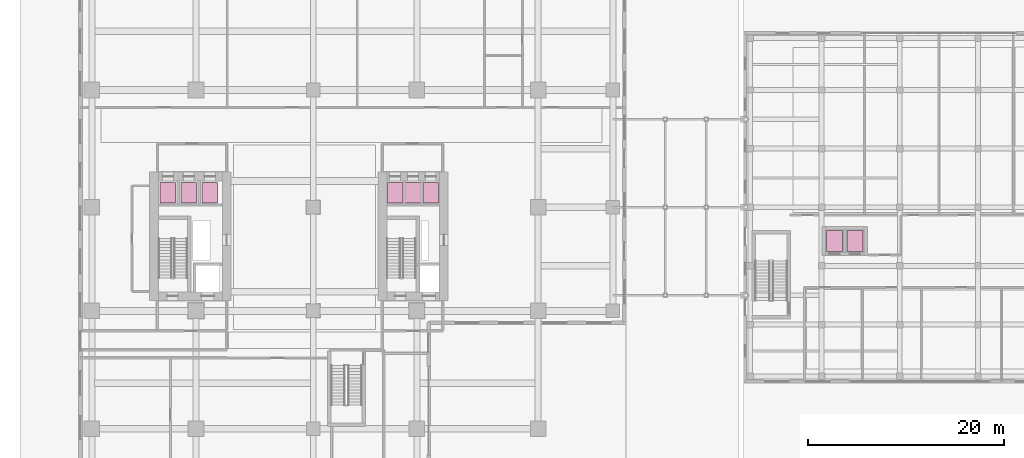
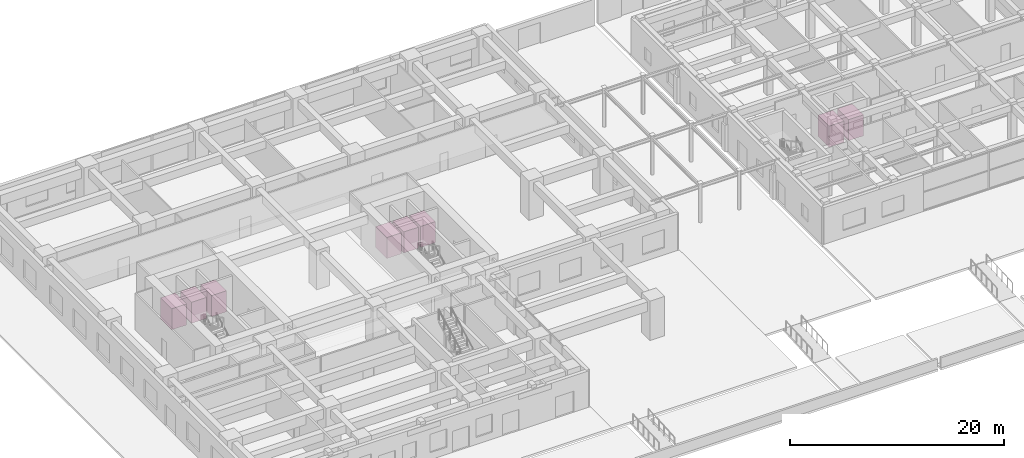
# One storey, part 39 of 39: 8 transport elements.
"""IFC4 building model written with IfcOpenShell, lengths in metres."""

from ifc_helpers import new_model, si_unit, direction, frame, origin, origin_2d, place, context, subcontext, project, spatial, rectangle, extrude, source, transform, mapped, material, type_object, element, save


model = new_model("IFC4")

# Units and contexts
model_context = context("Model", 3, precision=1e-05, world=origin(), true_north=direction((0.0, 1.0)))
body_context = subcontext(model_context, "Body", "Model", "MODEL_VIEW")
ifc_project = project(units=[si_unit("LENGTHUNIT", "METRE"), si_unit("AREAUNIT", "SQUARE_METRE"), si_unit("VOLUMEUNIT", "CUBIC_METRE"), si_unit("PLANEANGLEUNIT", "RADIAN"), si_unit("MASSUNIT", "GRAM", prefix="KILO")], contexts=[model_context])

# Site, building, storey
site_placement = place(None, origin())
site = spatial("IfcSite", under=ifc_project, at=site_placement, CompositionType="ELEMENT")
building_placement = place(site_placement, origin())
building = spatial("IfcBuilding", under=site, at=building_placement, Name="Khoralis Quay Care Tower", CompositionType="ELEMENT")
storey_placement = place(building_placement, origin())
storey = spatial("IfcBuildingStorey", under=building, at=storey_placement, Name="L00", CompositionType="ELEMENT", Elevation=0.0)

# Transport elements
ifc_material = material(Name="Brushed stainless steel", Category="steel")
transport_element_type = type_object("IfcTransportElementType", Name="LFT-PASS-2100X1600", PredefinedType="ELEVATOR", material=ifc_material)
shared_shape = source(origin(), body_context, "Body", "SweptSolid", [
    extrude(rectangle(XDim=2.10009765625, YDim=1.60009765625, at=origin_2d()), origin(), (0.0, 0.0, 1.0), 2.39990234375),
])
for number, where, z_axis, x_axis, name in (
    (1, (9.125, 25.5, 0.0), (0.0, 0.0, 1.0), (0.0, 1.0, 0.0), "Elevator Car PL-L1"),
    (2, (32.375, 25.5, 0.0), (0.0, 0.0, 1.0), (0.0, 1.0, 0.0), "Elevator Car PL-L2"),
    (3, (11.27490234375, 25.5, 0.0), (0.0, 0.0, 1.0), (0.0, 1.0, 0.0), "Elevator Car PL-M1"),
    (4, (34.205078125, 25.5, 0.0), (0.0, 0.0, 1.0), (0.0, 1.0, 0.0), "Elevator Car PL-M2"),
    (5, (13.425048828125, 25.5, 0.0), (0.0, 0.0, 1.0), (0.0, 1.0, 0.0), "Elevator Car PL-H1"),
    (6, (36.02490234375, 25.5, 0.0), (0.0, 0.0, 1.0), (0.0, 1.0, 0.0), "Elevator Car PL-H2"),
    (7, (77.324951171875, 20.550048828125, 0.0), (0.0, 0.0, 1.0), (0.0, 1.0, 0.0), "Elevator Car SC-PL1"),
    (8, (79.425048828125, 20.550048828125, 0.0), (0.0, 0.0, 1.0), (0.0, 1.0, 0.0), "Elevator Car SC-PL2"),
):
    element("IfcTransportElement", number, at=place(storey_placement, frame(where, z_axis=z_axis, x_axis=x_axis)), inside=storey, type_object=transport_element_type, Name=name, PredefinedType="ELEVATOR", context=body_context, shape_type="MappedRepresentation", body=[
        mapped(shared_shape, transform((0.0, 0.0, 0.0), scale=1.0)),
    ])

save(model, "model.ifc")
